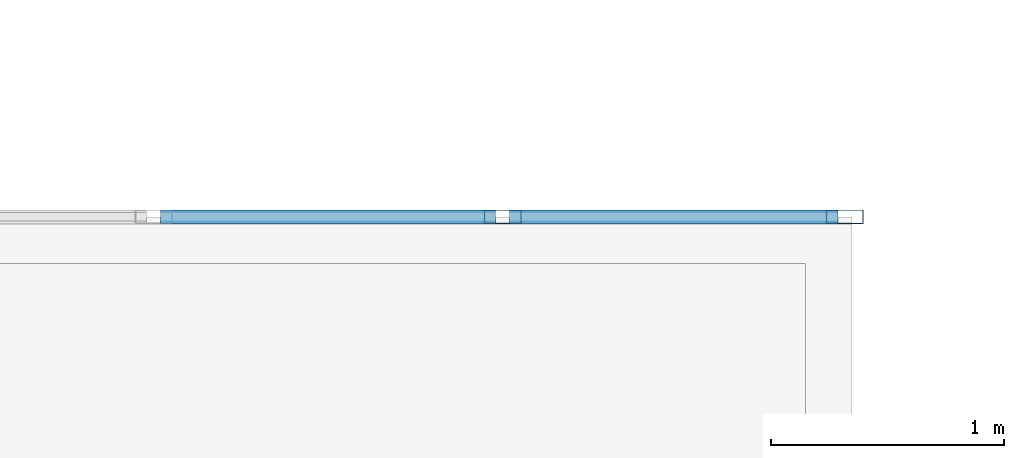
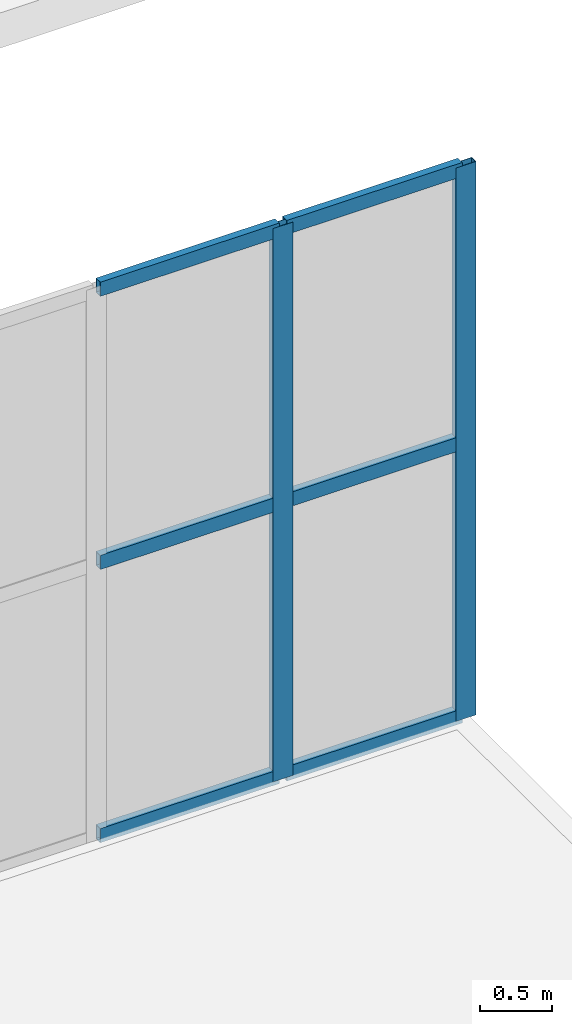
# One storey, part 44 of 223: 8 members, 1 element without a shape of its own.
"""IFC4 building model written with IfcOpenShell, lengths in metres."""

from ifc_helpers import new_model, si_unit, direction, frame, origin, origin_2d, place, context, subcontext, project, spatial, hollow_rectangle, extrude, material, layer, layer_set, material_profile, profile_set, type_object, element, aggregate, save


model = new_model("IFC4")

# Units and contexts
model_context = context("Model", 3, precision=1e-05, world=origin(), true_north=direction((0.0, 1.0)))
body_context = subcontext(model_context, "Body", "Model", "MODEL_VIEW")
ifc_project = project(units=[si_unit("LENGTHUNIT", "METRE"), si_unit("AREAUNIT", "SQUARE_METRE"), si_unit("VOLUMEUNIT", "CUBIC_METRE"), si_unit("PLANEANGLEUNIT", "RADIAN"), si_unit("MASSUNIT", "GRAM", prefix="KILO")], contexts=[model_context])

# Site, building, storey
site_placement = place(None, origin())
site = spatial("IfcSite", under=ifc_project, at=site_placement, CompositionType="ELEMENT")
building_placement = place(site_placement, origin())
building = spatial("IfcBuilding", under=site, at=building_placement, Name="Dornveld Trade and Exhibition Forum", CompositionType="ELEMENT")
storey_placement = place(building_placement, frame((0.0, 0.0, 6.0)))
storey = spatial("IfcBuildingStorey", under=building, at=storey_placement, Name="L01", CompositionType="ELEMENT", Elevation=6.0)

# Curtain wall, members
ifc_material_1 = material(Name="Dark-bronze anodised aluminium and low-E glass", Category="aluminium")
ifc_layer = layer(ifc_material_1, 0.175048828125)
ifc_layer_set = layer_set([ifc_layer], Name="Dark-bronze anodised aluminium and low-E glass")
curtain_wall_type = type_object("IfcCurtainWallType", Name="CW-SYS-11", PredefinedType="USERDEFINED", material=ifc_layer_set)
curtain_wall_placement = place(storey_placement, origin())
curtain_wall = element("IfcCurtainWall", 1, at=curtain_wall_placement, inside=storey, type_object=curtain_wall_type, Name="L01 unitised curtain wall 47", ObjectType="UNITISED_CURTAIN_WALL", PredefinedType="USERDEFINED")
ifc_material_2 = material(Name="Dark-bronze anodised aluminium", Category="aluminium")
ifc_material_profile_1 = material_profile(ifc_material_2, hollow_rectangle(XDim=0.06005859375, YDim=0.159912109375, WallThickness=0.00390625, at=origin_2d()), Name="RHS 160x60x4")
ifc_profile_set_1 = profile_set([ifc_material_profile_1], Name="Dark-bronze anodised aluminium")
member_type_1 = type_object("IfcMemberType", Name="CW-MUL-160", PredefinedType="MULLION", material=ifc_profile_set_1)
member_1_placement = place(storey_placement, frame((142.5, 18.0, -0.00390625), z_axis=(0.0, 0.0, 1.0), x_axis=(0.0, 1.0, 0.0)))
member_1 = element("IfcMember", 2, at=member_1_placement, type_object=member_type_1, Name="CW-11 mullion 6", PredefinedType="MULLION", context=body_context, shape_type="SweptSolid", body=[
    extrude(hollow_rectangle(XDim=0.06005859375, YDim=0.159912109375, WallThickness=0.00390625, at=origin_2d()), origin(), (0.0, 0.0, 1.0), 4.703857421875),
])
member_2_placement = place(storey_placement, frame((143.969970703125, 18.0, -0.00390625), z_axis=(0.0, 0.0, 1.0), x_axis=(0.0, 1.0, 0.0)))
member_2 = element("IfcMember", 3, at=member_2_placement, type_object=member_type_1, Name="CW-11 mullion 7", PredefinedType="MULLION", context=body_context, shape_type="SweptSolid", body=[
    extrude(hollow_rectangle(XDim=0.06005859375, YDim=0.159912109375, WallThickness=0.00390625, at=origin_2d()), origin(), (0.0, 0.0, 1.0), 4.703857421875),
])
ifc_material_3 = material(Name="Dark-bronze anodised aluminium", Category="aluminium")
ifc_material_profile_2 = material_profile(ifc_material_3, hollow_rectangle(XDim=0.06005859375, YDim=0.1201171875, WallThickness=0.00390625, at=origin_2d()), Name="RHS 120x60x4")
ifc_profile_set_2 = profile_set([ifc_material_profile_2], Name="Dark-bronze anodised aluminium")
member_type_2 = type_object("IfcMemberType", Name="CW-TRN-120", PredefinedType="USERDEFINED", material=ifc_profile_set_2)
member_3_placement = place(storey_placement, frame((141.030029296875, 18.0, 0.02587890625), z_axis=(1.0, 0.0, 0.0), x_axis=(0.0, 1.0, 0.0)))
member_3 = element("IfcMember", 4, at=member_3_placement, type_object=member_type_2, Name="CW-11 transom 5.1", ObjectType="TRANSOM", PredefinedType="USERDEFINED", context=body_context, shape_type="SweptSolid", body=[
    extrude(hollow_rectangle(XDim=0.06005859375, YDim=0.1201171875, WallThickness=0.00390625, at=origin_2d()), origin(), (0.0, 0.0, 1.0), 1.43994140625),
])
member_4_placement = place(storey_placement, frame((141.030029296875, 18.0, 2.347900390625), z_axis=(1.0, 0.0, 0.0), x_axis=(0.0, 1.0, 0.0)))
member_4 = element("IfcMember", 5, at=member_4_placement, type_object=member_type_2, Name="CW-11 transom 5.2", ObjectType="TRANSOM", PredefinedType="USERDEFINED", context=body_context, shape_type="SweptSolid", body=[
    extrude(hollow_rectangle(XDim=0.06005859375, YDim=0.1201171875, WallThickness=0.00390625, at=origin_2d()), origin(), (0.0, 0.0, 1.0), 1.43994140625),
])
member_5_placement = place(storey_placement, frame((141.030029296875, 18.0, 4.669921875), z_axis=(1.0, 0.0, 0.0), x_axis=(0.0, 1.0, 0.0)))
member_5 = element("IfcMember", 6, at=member_5_placement, type_object=member_type_2, Name="CW-11 transom 5.3", ObjectType="TRANSOM", PredefinedType="USERDEFINED", context=body_context, shape_type="SweptSolid", body=[
    extrude(hollow_rectangle(XDim=0.06005859375, YDim=0.1201171875, WallThickness=0.00390625, at=origin_2d()), origin(), (0.0, 0.0, 1.0), 1.43994140625),
])
member_6_placement = place(storey_placement, frame((142.530029296875, 18.0, 0.02587890625), z_axis=(1.0, 0.0, 0.0), x_axis=(0.0, 1.0, 0.0)))
member_6 = element("IfcMember", 7, at=member_6_placement, type_object=member_type_2, Name="CW-11 transom 6.1", ObjectType="TRANSOM", PredefinedType="USERDEFINED", context=body_context, shape_type="SweptSolid", body=[
    extrude(hollow_rectangle(XDim=0.06005859375, YDim=0.1201171875, WallThickness=0.00390625, at=origin_2d()), origin(), (0.0, 0.0, 1.0), 1.409912109375),
])
member_7_placement = place(storey_placement, frame((142.530029296875, 18.0, 2.347900390625), z_axis=(1.0, 0.0, 0.0), x_axis=(0.0, 1.0, 0.0)))
member_7 = element("IfcMember", 8, at=member_7_placement, type_object=member_type_2, Name="CW-11 transom 6.2", ObjectType="TRANSOM", PredefinedType="USERDEFINED", context=body_context, shape_type="SweptSolid", body=[
    extrude(hollow_rectangle(XDim=0.06005859375, YDim=0.1201171875, WallThickness=0.00390625, at=origin_2d()), origin(), (0.0, 0.0, 1.0), 1.409912109375),
])
member_8_placement = place(storey_placement, frame((142.530029296875, 18.0, 4.669921875), z_axis=(1.0, 0.0, 0.0), x_axis=(0.0, 1.0, 0.0)))
member_8 = element("IfcMember", 9, at=member_8_placement, type_object=member_type_2, Name="CW-11 transom 6.3", ObjectType="TRANSOM", PredefinedType="USERDEFINED", context=body_context, shape_type="SweptSolid", body=[
    extrude(hollow_rectangle(XDim=0.06005859375, YDim=0.1201171875, WallThickness=0.00390625, at=origin_2d()), origin(), (0.0, 0.0, 1.0), 1.409912109375),
])
aggregate(curtain_wall, [member_1, member_2, member_3, member_4, member_5, member_6, member_7, member_8])

save(model, "model.ifc")
